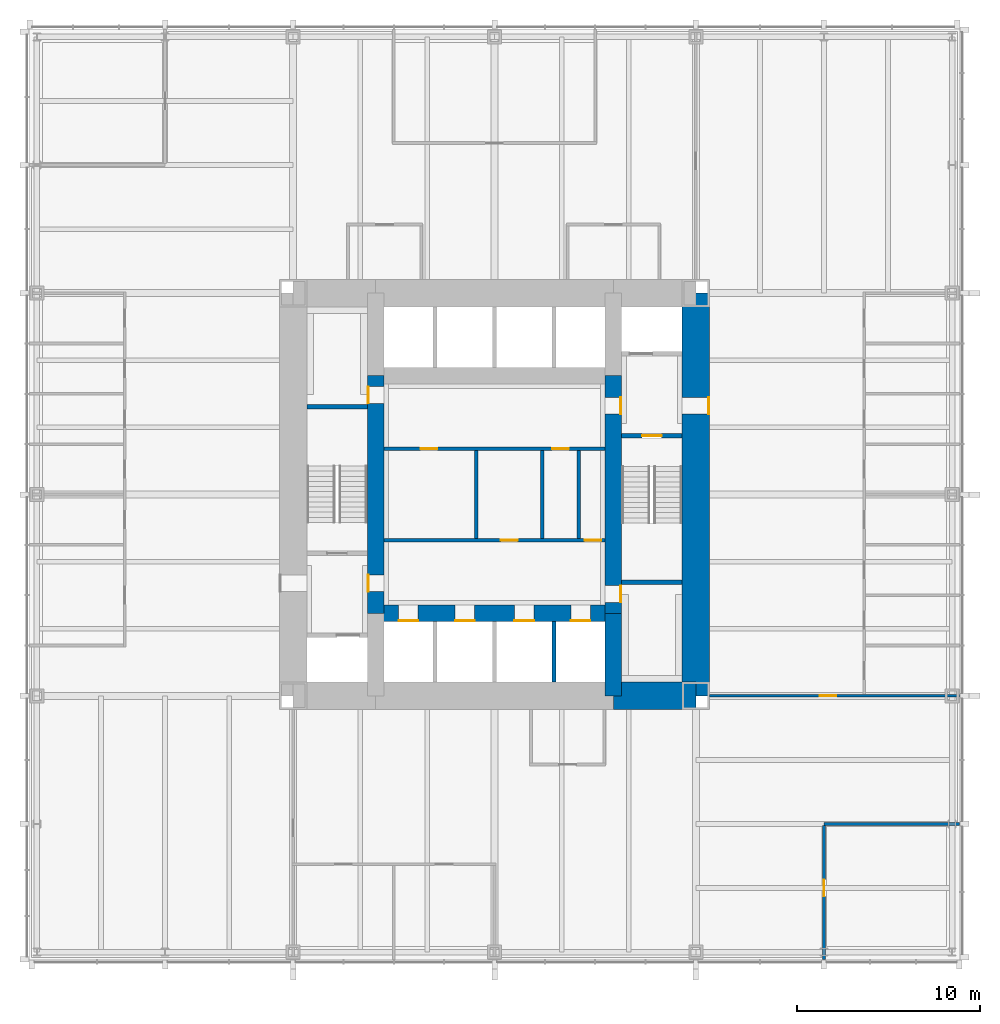
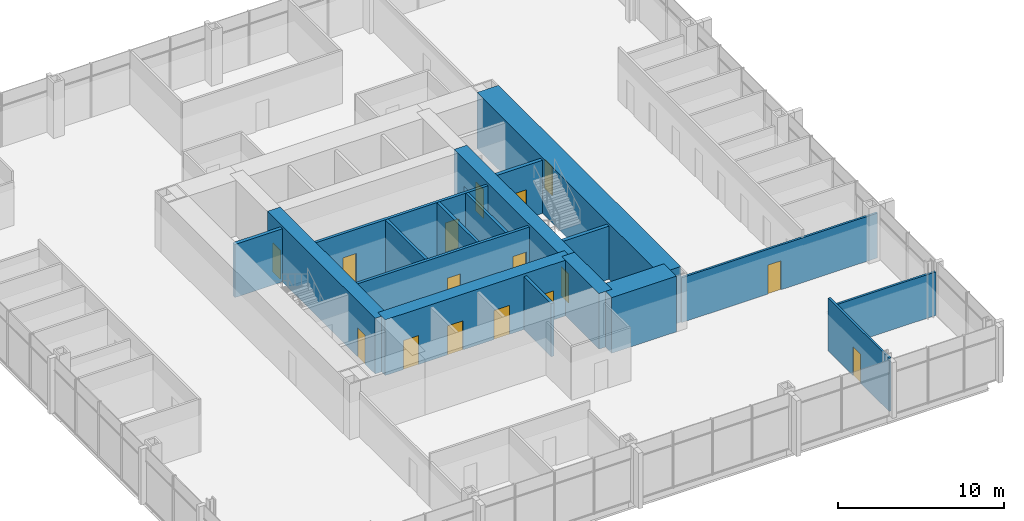
# One storey, part 10 of 13: 18 walls, 16 doors, 16 openings.
"""IFC4 building model written with IfcOpenShell, lengths in metres."""

from ifc_helpers import new_model, si_unit, direction, frame, frame_2d, origin, place, context, subcontext, project, spatial, rectangle, extrude, material, layer, layer_set, type_object, element, fill, save


model = new_model("IFC4")

# Units and contexts
model_context = context("Model", 3, precision=1e-05, world=origin(), true_north=direction((0.0, 1.0)))
body_context = subcontext(model_context, "Body", "Model", "MODEL_VIEW")
ifc_project = project(units=[si_unit("LENGTHUNIT", "METRE"), si_unit("AREAUNIT", "SQUARE_METRE"), si_unit("VOLUMEUNIT", "CUBIC_METRE"), si_unit("PLANEANGLEUNIT", "RADIAN"), si_unit("MASSUNIT", "GRAM", prefix="KILO")], contexts=[model_context])

# Site, building, storey
site_placement = place(None, origin())
site = spatial("IfcSite", under=ifc_project, at=site_placement, CompositionType="ELEMENT")
building_placement = place(site_placement, origin())
building = spatial("IfcBuilding", under=site, at=building_placement, Name="Trevanion Tower", CompositionType="ELEMENT")
storey_placement = place(building_placement, frame((0.0, 0.0, 85.699951171875)))
storey = spatial("IfcBuildingStorey", under=building, at=storey_placement, Name="L20", CompositionType="ELEMENT", Elevation=85.699951171875)

# Wall, opening, door
ifc_material_1 = material(Name="Concrete 10,000 psi", Category="concrete")
ifc_layer_1 = layer(ifc_material_1, 1.5)
ifc_layer_set_1 = layer_set([ifc_layer_1], Name="CW1 core wall 1500")
wall_type_1 = type_object("IfcWallType", Name="CW1 core wall 1500", PredefinedType="SHEAR", material=ifc_layer_set_1)
wall_1_placement = place(storey_placement, frame((11.0, -11.0, 0.0), z_axis=(0.0, 0.0, 1.0), x_axis=(0.0, 1.0, 0.0)))
wall_1 = element("IfcWall", 1, at=wall_1_placement, inside=storey, type_object=wall_type_1, Name="CW1 CE L20", PredefinedType="SHEAR", context=body_context, shape_type="SweptSolid", body=[
    extrude(rectangle(XDim=22.0, YDim=1.5, at=frame_2d((11.0, 0.0))), origin(), (0.0, 0.0, 1.0), 4.10009765625),
])
opening_1_placement = place(wall_1_placement, frame((15.392578125, 0.0, 0.0)))
opening_1 = element("IfcOpeningElement", 2, at=opening_1_placement, cuts=wall_1, Name="Opening 20-001", PredefinedType="OPENING", context=body_context, shape_type="SweptSolid", body=[
    extrude(rectangle(XDim=0.9150390625, YDim=2.134033203125, at=frame_2d((0.45751953125, 1.06689453125))), frame((0.0, 0.760009765625, 0.0), z_axis=(0.0, -1.0, 0.0), x_axis=(1.0, 0.0, 0.0)), (0.0, 0.0, 1.0), 1.52001953125),
])
ifc_material_2 = material(Name="Hollow metal, fire rated", Category="steel")
door_type_1 = type_object("IfcDoorType", Name="D3 fire lift lobby door", OperationType="SINGLE_SWING_RIGHT", PredefinedType="DOOR", material=ifc_material_2)
door_1_placement = place(opening_1_placement, origin())
door_1 = element("IfcDoor", 3, at=door_1_placement, inside=storey, type_object=door_type_1, Name="Door 20-001", OperationType="SINGLE_SWING_RIGHT", OverallHeight=2.134033203125, OverallWidth=0.9150390625, PredefinedType="DOOR", context=body_context, shape_type="SweptSolid", body=[
    extrude(rectangle(XDim=0.9150390625, YDim=2.134033203125, at=frame_2d((0.45751953125, 1.06689453125))), frame((0.0, -0.6748046875, 0.0), z_axis=(0.0, -1.0, 0.0), x_axis=(1.0, 0.0, 0.0)), (0.0, 0.0, 1.0), 0.050048828125),
])
fill(opening_1, door_1)

# Walls
wall_2_placement = place(storey_placement, frame((6.5, -11.0, 0.0), z_axis=(0.0, 0.0, 1.0), x_axis=(1.0, 0.0, 0.0)))
element("IfcWall", 4, at=wall_2_placement, inside=storey, type_object=wall_type_1, Name="CW1 CS3 L20", PredefinedType="SHEAR", context=body_context, shape_type="SweptSolid", body=[
    extrude(rectangle(XDim=4.5, YDim=1.5, at=frame_2d((2.25, 0.0))), origin(), (0.0, 0.0, 1.0), 4.10009765625),
])
ifc_material_3 = material(Name="Concrete 10,000 psi", Category="concrete")
ifc_layer_2 = layer(ifc_material_3, 0.89990234375)
ifc_layer_set_2 = layer_set([ifc_layer_2], Name="CW2 core wall 900")
wall_type_2 = type_object("IfcWallType", Name="CW2 core wall 900", PredefinedType="SHEAR", material=ifc_layer_set_2)
wall_3_placement = place(storey_placement, frame((6.5, -11.0, 0.0), z_axis=(0.0, 0.0, 1.0), x_axis=(0.0, 1.0, 0.0)))
element("IfcWall", 5, at=wall_3_placement, inside=storey, type_object=wall_type_2, Name="CW2 RE1 L20", PredefinedType="SHEAR", context=body_context, shape_type="SweptSolid", body=[
    extrude(rectangle(XDim=4.5, YDim=0.89990234375, at=frame_2d((2.25, 0.0))), origin(), (0.0, 0.0, 1.0), 4.10009765625),
])

# Wall, openings, doors
wall_4_placement = place(storey_placement, frame((6.5, -6.5, 0.0), z_axis=(0.0, 0.0, 1.0), x_axis=(0.0, 1.0, 0.0)))
wall_4 = element("IfcWall", 6, at=wall_4_placement, inside=storey, type_object=wall_type_2, Name="CW2 RE2 L20", PredefinedType="SHEAR", context=body_context, shape_type="SweptSolid", body=[
    extrude(rectangle(XDim=13.0, YDim=0.89990234375, at=frame_2d((6.5, 0.0))), origin(), (0.0, 0.0, 1.0), 4.10009765625),
])
opening_2_placement = place(wall_4_placement, frame((10.892578125, 0.0, 0.0)))
opening_2 = element("IfcOpeningElement", 7, at=opening_2_placement, cuts=wall_4, Name="Opening 20-003", PredefinedType="OPENING", context=body_context, shape_type="SweptSolid", body=[
    extrude(rectangle(XDim=0.9150390625, YDim=2.134033203125, at=frame_2d((0.45751953125, 1.06689453125))), frame((0.0, 0.4599609375, 0.0), z_axis=(0.0, -1.0, 0.0), x_axis=(1.0, 0.0, 0.0)), (0.0, 0.0, 1.0), 0.919921875),
])
opening_3_placement = place(wall_4_placement, frame((0.610107421875, 0.0, 0.0)))
opening_3 = element("IfcOpeningElement", 8, at=opening_3_placement, cuts=wall_4, Name="Opening 20-009", PredefinedType="OPENING", context=body_context, shape_type="SweptSolid", body=[
    extrude(rectangle(XDim=0.9150390625, YDim=2.134033203125, at=frame_2d((0.45751953125, 1.06689453125))), frame((0.0, 0.4599609375, 0.0), z_axis=(0.0, -1.0, 0.0), x_axis=(1.0, 0.0, 0.0)), (0.0, 0.0, 1.0), 0.919921875),
])
door_2_placement = place(opening_2_placement, origin())
door_2 = element("IfcDoor", 9, at=door_2_placement, inside=storey, type_object=door_type_1, Name="Door 20-003", OperationType="SINGLE_SWING_RIGHT", OverallHeight=2.134033203125, OverallWidth=0.9150390625, PredefinedType="DOOR", context=body_context, shape_type="SweptSolid", body=[
    extrude(rectangle(XDim=0.9150390625, YDim=2.134033203125, at=frame_2d((0.45751953125, 1.06689453125))), frame((0.0, -0.375, 0.0), z_axis=(0.0, -1.0, 0.0), x_axis=(1.0, 0.0, 0.0)), (0.0, 0.0, 1.0), 0.050048828125),
])
fill(opening_2, door_2)
ifc_material_4 = material(Name="Hollow metal, fire rated", Category="steel")
door_type_2 = type_object("IfcDoorType", Name="D5 service room door", OperationType="SINGLE_SWING_RIGHT", PredefinedType="DOOR", material=ifc_material_4)
door_3_placement = place(opening_3_placement, origin())
door_3 = element("IfcDoor", 10, at=door_3_placement, inside=storey, type_object=door_type_2, Name="Door 20-009", OperationType="SINGLE_SWING_RIGHT", OverallHeight=2.134033203125, OverallWidth=0.9150390625, PredefinedType="DOOR", context=body_context, shape_type="SweptSolid", body=[
    extrude(rectangle(XDim=0.9150390625, YDim=2.134033203125, at=frame_2d((0.45751953125, 1.06689453125))), frame((0.0, -0.375, 0.0), z_axis=(0.0, -1.0, 0.0), x_axis=(1.0, 0.0, 0.0)), (0.0, 0.0, 1.0), 0.050048828125),
])
fill(opening_3, door_3)

wall_5_placement = place(storey_placement, frame((-6.5, 6.5, 0.0), z_axis=(0.0, 0.0, 1.0), x_axis=(0.0, -1.0, 0.0)))
wall_5 = element("IfcWall", 11, at=wall_5_placement, inside=storey, type_object=wall_type_2, Name="CW2 RW2 L20", PredefinedType="SHEAR", context=body_context, shape_type="SweptSolid", body=[
    extrude(rectangle(XDim=13.0, YDim=0.89990234375, at=frame_2d((6.5, 0.0))), origin(), (0.0, 0.0, 1.0), 4.10009765625),
])
opening_4_placement = place(wall_5_placement, frame((10.892578125, 0.0, 0.0)))
opening_4 = element("IfcOpeningElement", 12, at=opening_4_placement, cuts=wall_5, Name="Opening 20-004", PredefinedType="OPENING", context=body_context, shape_type="SweptSolid", body=[
    extrude(rectangle(XDim=0.9150390625, YDim=2.134033203125, at=frame_2d((0.45751953125, 1.06689453125))), frame((0.0, 0.4599609375, 0.0), z_axis=(0.0, -1.0, 0.0), x_axis=(1.0, 0.0, 0.0)), (0.0, 0.0, 1.0), 0.919921875),
])
opening_5_placement = place(wall_5_placement, frame((0.610107421875, 0.0, 0.0)))
opening_5 = element("IfcOpeningElement", 13, at=opening_5_placement, cuts=wall_5, Name="Opening 20-010", PredefinedType="OPENING", context=body_context, shape_type="SweptSolid", body=[
    extrude(rectangle(XDim=0.9150390625, YDim=2.134033203125, at=frame_2d((0.45751953125, 1.06689453125))), frame((0.0, 0.4599609375, 0.0), z_axis=(0.0, -1.0, 0.0), x_axis=(1.0, 0.0, 0.0)), (0.0, 0.0, 1.0), 0.919921875),
])
door_4_placement = place(opening_4_placement, origin())
door_4 = element("IfcDoor", 14, at=door_4_placement, inside=storey, type_object=door_type_1, Name="Door 20-004", OperationType="SINGLE_SWING_RIGHT", OverallHeight=2.134033203125, OverallWidth=0.9150390625, PredefinedType="DOOR", context=body_context, shape_type="SweptSolid", body=[
    extrude(rectangle(XDim=0.9150390625, YDim=2.134033203125, at=frame_2d((0.45751953125, 1.06689453125))), frame((0.0, -0.375, 0.0), z_axis=(0.0, -1.0, 0.0), x_axis=(1.0, 0.0, 0.0)), (0.0, 0.0, 1.0), 0.050048828125),
])
fill(opening_4, door_4)
door_5_placement = place(opening_5_placement, origin())
door_5 = element("IfcDoor", 15, at=door_5_placement, inside=storey, type_object=door_type_2, Name="Door 20-010", OperationType="SINGLE_SWING_RIGHT", OverallHeight=2.134033203125, OverallWidth=0.9150390625, PredefinedType="DOOR", context=body_context, shape_type="SweptSolid", body=[
    extrude(rectangle(XDim=0.9150390625, YDim=2.134033203125, at=frame_2d((0.45751953125, 1.06689453125))), frame((0.0, -0.375, 0.0), z_axis=(0.0, -1.0, 0.0), x_axis=(1.0, 0.0, 0.0)), (0.0, 0.0, 1.0), 0.050048828125),
])
fill(opening_5, door_5)

wall_6_placement = place(storey_placement, frame((-6.5, -6.5, 0.0), z_axis=(0.0, 0.0, 1.0), x_axis=(1.0, 0.0, 0.0)))
wall_6 = element("IfcWall", 16, at=wall_6_placement, inside=storey, type_object=wall_type_2, Name="CW2 RS L20", PredefinedType="SHEAR", context=body_context, shape_type="SweptSolid", body=[
    extrude(rectangle(XDim=13.0, YDim=0.89990234375, at=frame_2d((6.5, 0.0))), origin(), (0.0, 0.0, 1.0), 4.10009765625),
])
opening_6_placement = place(wall_6_placement, frame((1.2666015625, 0.0, 0.0)))
opening_6 = element("IfcOpeningElement", 17, at=opening_6_placement, cuts=wall_6, Name="Opening 20-011", PredefinedType="OPENING", context=body_context, shape_type="SweptSolid", body=[
    extrude(rectangle(XDim=1.06689453125, YDim=2.134033203125, at=frame_2d((0.533447265625, 1.06689453125))), frame((0.0, 0.4599609375, 0.0), z_axis=(0.0, -1.0, 0.0), x_axis=(1.0, 0.0, 0.0)), (0.0, 0.0, 1.0), 0.919921875),
])
opening_7_placement = place(wall_6_placement, frame((4.341552734375, 0.0, 0.0)))
opening_7 = element("IfcOpeningElement", 18, at=opening_7_placement, cuts=wall_6, Name="Opening 20-012", PredefinedType="OPENING", context=body_context, shape_type="SweptSolid", body=[
    extrude(rectangle(XDim=1.06689453125, YDim=2.134033203125, at=frame_2d((0.533447265625, 1.06689453125))), frame((0.0, 0.4599609375, 0.0), z_axis=(0.0, -1.0, 0.0), x_axis=(1.0, 0.0, 0.0)), (0.0, 0.0, 1.0), 0.919921875),
])
opening_8_placement = place(wall_6_placement, frame((7.591552734375, 0.0, 0.0)))
opening_8 = element("IfcOpeningElement", 19, at=opening_8_placement, cuts=wall_6, Name="Opening 20-013", PredefinedType="OPENING", context=body_context, shape_type="SweptSolid", body=[
    extrude(rectangle(XDim=1.06689453125, YDim=2.134033203125, at=frame_2d((0.533447265625, 1.06689453125))), frame((0.0, 0.4599609375, 0.0), z_axis=(0.0, -1.0, 0.0), x_axis=(1.0, 0.0, 0.0)), (0.0, 0.0, 1.0), 0.919921875),
])
opening_9_placement = place(wall_6_placement, frame((10.66650390625, 0.0, 0.0)))
opening_9 = element("IfcOpeningElement", 20, at=opening_9_placement, cuts=wall_6, Name="Opening 20-014", PredefinedType="OPENING", context=body_context, shape_type="SweptSolid", body=[
    extrude(rectangle(XDim=1.06689453125, YDim=2.134033203125, at=frame_2d((0.533447265625, 1.06689453125))), frame((0.0, 0.4599609375, 0.0), z_axis=(0.0, -1.0, 0.0), x_axis=(1.0, 0.0, 0.0)), (0.0, 0.0, 1.0), 0.919921875),
])
ifc_material_5 = material(Name="Stainless steel, fire rated", Category="steel")
door_type_3 = type_object("IfcDoorType", Name="LD1 lift landing door", OperationType="SLIDING_TO_LEFT", PredefinedType="DOOR", material=ifc_material_5)
door_6_placement = place(opening_6_placement, origin())
door_6 = element("IfcDoor", 21, at=door_6_placement, inside=storey, type_object=door_type_3, Name="Door 20-011", OperationType="SLIDING_TO_LEFT", OverallHeight=2.134033203125, OverallWidth=1.06689453125, PredefinedType="DOOR", context=body_context, shape_type="SweptSolid", body=[
    extrude(rectangle(XDim=1.06689453125, YDim=2.134033203125, at=frame_2d((0.533447265625, 1.06689453125))), frame((0.0, -0.375, 0.0), z_axis=(0.0, -1.0, 0.0), x_axis=(1.0, 0.0, 0.0)), (0.0, 0.0, 1.0), 0.050048828125),
])
fill(opening_6, door_6)
door_7_placement = place(opening_7_placement, origin())
door_7 = element("IfcDoor", 22, at=door_7_placement, inside=storey, type_object=door_type_3, Name="Door 20-012", OperationType="SLIDING_TO_LEFT", OverallHeight=2.134033203125, OverallWidth=1.06689453125, PredefinedType="DOOR", context=body_context, shape_type="SweptSolid", body=[
    extrude(rectangle(XDim=1.06689453125, YDim=2.134033203125, at=frame_2d((0.533447265625, 1.06689453125))), frame((0.0, -0.375, 0.0), z_axis=(0.0, -1.0, 0.0), x_axis=(1.0, 0.0, 0.0)), (0.0, 0.0, 1.0), 0.050048828125),
])
fill(opening_7, door_7)
door_8_placement = place(opening_8_placement, origin())
door_8 = element("IfcDoor", 23, at=door_8_placement, inside=storey, type_object=door_type_3, Name="Door 20-013", OperationType="SLIDING_TO_LEFT", OverallHeight=2.134033203125, OverallWidth=1.06689453125, PredefinedType="DOOR", context=body_context, shape_type="SweptSolid", body=[
    extrude(rectangle(XDim=1.06689453125, YDim=2.134033203125, at=frame_2d((0.533447265625, 1.06689453125))), frame((0.0, -0.375, 0.0), z_axis=(0.0, -1.0, 0.0), x_axis=(1.0, 0.0, 0.0)), (0.0, 0.0, 1.0), 0.050048828125),
])
fill(opening_8, door_8)
door_9_placement = place(opening_9_placement, origin())
door_9 = element("IfcDoor", 24, at=door_9_placement, inside=storey, type_object=door_type_3, Name="Door 20-014", OperationType="SLIDING_TO_LEFT", OverallHeight=2.134033203125, OverallWidth=1.06689453125, PredefinedType="DOOR", context=body_context, shape_type="SweptSolid", body=[
    extrude(rectangle(XDim=1.06689453125, YDim=2.134033203125, at=frame_2d((0.533447265625, 1.06689453125))), frame((0.0, -0.375, 0.0), z_axis=(0.0, -1.0, 0.0), x_axis=(1.0, 0.0, 0.0)), (0.0, 0.0, 1.0), 0.050048828125),
])
fill(opening_9, door_9)

# Wall, opening, door
ifc_material_6 = material(Name="Gypsum board on steel studs", Category="steel")
ifc_layer_3 = layer(ifc_material_6, 0.14990234375)
ifc_layer_set_3 = layer_set([ifc_layer_3], Name="PT1 partition 150")
wall_type_3 = type_object("IfcWallType", Name="PT1 partition 150", PredefinedType="PARTITIONING", material=ifc_layer_set_3)
wall_7_placement = place(storey_placement, frame((11.75, -11.0, 0.0), z_axis=(0.0, 0.0, 1.0), x_axis=(1.0, 0.0, 0.0)))
wall_7 = element("IfcWall", 25, at=wall_7_placement, inside=storey, type_object=wall_type_3, Name="PT1 L20 ZW3", PredefinedType="PARTITIONING", context=body_context, shape_type="SweptSolid", body=[
    extrude(rectangle(XDim=13.6650390625, YDim=0.14990234375, at=frame_2d((6.83251953125, 0.0))), origin(), (0.0, 0.0, 1.0), 3.300537109375),
])
opening_10_placement = place(wall_7_placement, frame((6.017578125, 0.0, 0.0)))
opening_10 = element("IfcOpeningElement", 26, at=opening_10_placement, cuts=wall_7, Name="Opening 20-021", PredefinedType="OPENING", context=body_context, shape_type="SweptSolid", body=[
    extrude(rectangle(XDim=0.9150390625, YDim=2.134033203125, at=frame_2d((0.45751953125, 1.06689453125))), frame((0.0, 0.0849609375, 0.0), z_axis=(0.0, -1.0, 0.0), x_axis=(1.0, 0.0, 0.0)), (0.0, 0.0, 1.0), 0.169921875),
])
ifc_material_7 = material(Name="Timber veneer, solid core", Category="wood")
door_type_4 = type_object("IfcDoorType", Name="D1 office and meeting room door", OperationType="SINGLE_SWING_LEFT", PredefinedType="DOOR", material=ifc_material_7)
door_10_placement = place(opening_10_placement, origin())
door_10 = element("IfcDoor", 27, at=door_10_placement, inside=storey, type_object=door_type_4, Name="Door 20-021", OperationType="SINGLE_SWING_LEFT", OverallHeight=2.134033203125, OverallWidth=0.9150390625, PredefinedType="DOOR", context=body_context, shape_type="SweptSolid", body=[
    extrude(rectangle(XDim=0.9150390625, YDim=2.134033203125, at=frame_2d((0.45751953125, 1.06689453125))), frame((0.0, 0.02490234375, 0.0), z_axis=(0.0, -1.0, 0.0), x_axis=(1.0, 0.0, 0.0)), (0.0, 0.0, 1.0), 0.050048828125),
])
fill(opening_10, door_10)

# Wall
wall_8_placement = place(storey_placement, frame((18.0, -18.0, 0.0), z_axis=(0.0, 0.0, 1.0), x_axis=(1.0, 0.0, 0.0)))
element("IfcWall", 28, at=wall_8_placement, inside=storey, type_object=wall_type_3, Name="PT1 L20 KW3a", PredefinedType="PARTITIONING", context=body_context, shape_type="SweptSolid", body=[
    extrude(rectangle(XDim=7.4150390625, YDim=0.14990234375, at=frame_2d((3.70751953125, 0.0))), origin(), (0.0, 0.0, 1.0), 3.214111328125),
])

# Wall, opening, door
wall_9_placement = place(storey_placement, frame((18.0, -18.074951171875, 0.0), z_axis=(0.0, 0.0, 1.0), x_axis=(0.0, -1.0, 0.0)))
wall_9 = element("IfcWall", 29, at=wall_9_placement, inside=storey, type_object=wall_type_3, Name="PT1 L20 KW3b", PredefinedType="PARTITIONING", context=body_context, shape_type="SweptSolid", body=[
    extrude(rectangle(XDim=7.340087890625, YDim=0.14990234375, at=frame_2d((3.669921875, 0.0))), origin(), (0.0, 0.0, 1.0), 3.91015625),
])
opening_11_placement = place(wall_9_placement, frame((2.967529296875, 0.0, 0.0)))
opening_11 = element("IfcOpeningElement", 30, at=opening_11_placement, cuts=wall_9, Name="Opening 20-023", PredefinedType="OPENING", context=body_context, shape_type="SweptSolid", body=[
    extrude(rectangle(XDim=0.9150390625, YDim=2.134033203125, at=frame_2d((0.45751953125, 1.06689453125))), frame((0.0, 0.0849609375, 0.0), z_axis=(0.0, -1.0, 0.0), x_axis=(1.0, 0.0, 0.0)), (0.0, 0.0, 1.0), 0.169921875),
])
door_11_placement = place(opening_11_placement, origin())
door_11 = element("IfcDoor", 31, at=door_11_placement, inside=storey, type_object=door_type_4, Name="Door 20-023", OperationType="SINGLE_SWING_LEFT", OverallHeight=2.134033203125, OverallWidth=0.9150390625, PredefinedType="DOOR", context=body_context, shape_type="SweptSolid", body=[
    extrude(rectangle(XDim=0.9150390625, YDim=2.134033203125, at=frame_2d((0.45751953125, 1.06689453125))), frame((0.0, 0.02490234375, 0.0), z_axis=(0.0, -1.0, 0.0), x_axis=(1.0, 0.0, 0.0)), (0.0, 0.0, 1.0), 0.050048828125),
])
fill(opening_11, door_11)

# Walls
ifc_material_8 = material(Name="Concrete masonry, grouted", Category="masonry")
ifc_layer_4 = layer(ifc_material_8, 0.199951171875)
ifc_layer_set_4 = layer_set([ifc_layer_4], Name="PT2 partition 200")
wall_type_4 = type_object("IfcWallType", Name="PT2 partition 200", PredefinedType="PARTITIONING", material=ifc_layer_set_4)
for number, where, z_axis, x_axis, name in (
    (32, (-1.0, -2.39990234375, 0.0), (0.0, 0.0, 1.0), (0.0, 1.0, 0.0), "PT2 L20 TP1"),
    (33, (2.60009765625, -2.39990234375, 0.0), (0.0, 0.0, 1.0), (0.0, 1.0, 0.0), "PT2 L20 TP2"),
    (34, (4.60009765625, -2.39990234375, 0.0), (0.0, 0.0, 1.0), (0.0, 1.0, 0.0), "PT2 L20 TP3"),
):
    element("IfcWall", number, at=place(storey_placement, frame(where, z_axis=z_axis, x_axis=x_axis)), inside=storey, type_object=wall_type_4, Name=name, PredefinedType="PARTITIONING", context=body_context, shape_type="SweptSolid", body=[
        extrude(rectangle(XDim=4.7998046875, YDim=0.199951171875, at=frame_2d((2.39990234375, 0.0))), origin(), (0.0, 0.0, 1.0), 3.91015625),
    ])

# Wall, openings, doors
ifc_material_9 = material(Name="Concrete masonry, grouted", Category="masonry")
ifc_layer_5 = layer(ifc_material_9, 0.199951171875)
ifc_layer_set_5 = layer_set([ifc_layer_5], Name="PT2 partition 200 1 HR")
wall_type_5 = type_object("IfcWallType", Name="PT2 partition 200 1 HR", PredefinedType="PARTITIONING", material=ifc_layer_set_5)
wall_10_placement = place(storey_placement, frame((-6.050048828125, 2.5, 0.0), z_axis=(0.0, 0.0, 1.0), x_axis=(1.0, 0.0, 0.0)))
wall_10 = element("IfcWall", 35, at=wall_10_placement, inside=storey, type_object=wall_type_5, Name="PT2 L20 CP1", PredefinedType="PARTITIONING", context=body_context, shape_type="SweptSolid", body=[
    extrude(rectangle(XDim=12.10009765625, YDim=0.199951171875, at=frame_2d((6.050048828125, 0.0))), origin(), (0.0, 0.0, 1.0), 3.91015625),
])
opening_12_placement = place(wall_10_placement, frame((2.017578125, 0.0, 0.0)))
opening_12 = element("IfcOpeningElement", 36, at=opening_12_placement, cuts=wall_10, Name="Opening 20-015", PredefinedType="OPENING", context=body_context, shape_type="SweptSolid", body=[
    extrude(rectangle(XDim=0.9150390625, YDim=2.134033203125, at=frame_2d((0.45751953125, 1.06689453125))), frame((0.0, 0.10986328125, 0.0), z_axis=(0.0, -1.0, 0.0), x_axis=(1.0, 0.0, 0.0)), (0.0, 0.0, 1.0), 0.219970703125),
])
opening_13_placement = place(wall_10_placement, frame((9.1923828125, 0.0, 0.0)))
opening_13 = element("IfcOpeningElement", 37, at=opening_13_placement, cuts=wall_10, Name="Opening 20-017", PredefinedType="OPENING", context=body_context, shape_type="SweptSolid", body=[
    extrude(rectangle(XDim=0.9150390625, YDim=2.134033203125, at=frame_2d((0.45751953125, 1.06689453125))), frame((0.0, 0.10986328125, 0.0), z_axis=(0.0, -1.0, 0.0), x_axis=(1.0, 0.0, 0.0)), (0.0, 0.0, 1.0), 0.219970703125),
])
ifc_material_10 = material(Name="Plastic laminate on fire-rated core", Category="wood")
door_type_5 = type_object("IfcDoorType", Name="D12 toilet door in a one hour wall", OperationType="SINGLE_SWING_LEFT", PredefinedType="DOOR", material=ifc_material_10)
door_12_placement = place(opening_12_placement, origin())
door_12 = element("IfcDoor", 38, at=door_12_placement, inside=storey, type_object=door_type_5, Name="Door 20-015", OperationType="SINGLE_SWING_LEFT", OverallHeight=2.134033203125, OverallWidth=0.9150390625, PredefinedType="DOOR", context=body_context, shape_type="SweptSolid", body=[
    extrude(rectangle(XDim=0.9150390625, YDim=2.134033203125, at=frame_2d((0.45751953125, 1.06689453125))), frame((0.0, 0.02490234375, 0.0), z_axis=(0.0, -1.0, 0.0), x_axis=(1.0, 0.0, 0.0)), (0.0, 0.0, 1.0), 0.050048828125),
])
fill(opening_12, door_12)
door_13_placement = place(opening_13_placement, origin())
door_13 = element("IfcDoor", 39, at=door_13_placement, inside=storey, type_object=door_type_5, Name="Door 20-017", OperationType="SINGLE_SWING_LEFT", OverallHeight=2.134033203125, OverallWidth=0.9150390625, PredefinedType="DOOR", context=body_context, shape_type="SweptSolid", body=[
    extrude(rectangle(XDim=0.9150390625, YDim=2.134033203125, at=frame_2d((0.45751953125, 1.06689453125))), frame((0.0, 0.02490234375, 0.0), z_axis=(0.0, -1.0, 0.0), x_axis=(1.0, 0.0, 0.0)), (0.0, 0.0, 1.0), 0.050048828125),
])
fill(opening_13, door_13)

wall_11_placement = place(storey_placement, frame((6.050048828125, -2.5, 0.0), z_axis=(0.0, 0.0, 1.0), x_axis=(-1.0, 0.0, 0.0)))
wall_11 = element("IfcWall", 40, at=wall_11_placement, inside=storey, type_object=wall_type_5, Name="PT2 L20 CP2", PredefinedType="PARTITIONING", context=body_context, shape_type="SweptSolid", body=[
    extrude(rectangle(XDim=12.10009765625, YDim=0.199951171875, at=frame_2d((6.050048828125, 0.0))), origin(), (0.0, 0.0, 1.0), 3.91015625),
])
opening_14_placement = place(wall_11_placement, frame((4.79248046875, 0.0, 0.0)))
opening_14 = element("IfcOpeningElement", 41, at=opening_14_placement, cuts=wall_11, Name="Opening 20-016", PredefinedType="OPENING", context=body_context, shape_type="SweptSolid", body=[
    extrude(rectangle(XDim=0.9150390625, YDim=2.134033203125, at=frame_2d((0.45751953125, 1.06689453125))), frame((0.0, 0.10986328125, 0.0), z_axis=(0.0, -1.0, 0.0), x_axis=(1.0, 0.0, 0.0)), (0.0, 0.0, 1.0), 0.219970703125),
])
opening_15_placement = place(wall_11_placement, frame((0.217529296875, 0.0, 0.0)))
opening_15 = element("IfcOpeningElement", 42, at=opening_15_placement, cuts=wall_11, Name="Opening 20-018", PredefinedType="OPENING", context=body_context, shape_type="SweptSolid", body=[
    extrude(rectangle(XDim=0.9150390625, YDim=2.134033203125, at=frame_2d((0.45751953125, 1.06689453125))), frame((0.0, 0.10986328125, 0.0), z_axis=(0.0, -1.0, 0.0), x_axis=(1.0, 0.0, 0.0)), (0.0, 0.0, 1.0), 0.219970703125),
])
door_14_placement = place(opening_14_placement, origin())
door_14 = element("IfcDoor", 43, at=door_14_placement, inside=storey, type_object=door_type_5, Name="Door 20-016", OperationType="SINGLE_SWING_LEFT", OverallHeight=2.134033203125, OverallWidth=0.9150390625, PredefinedType="DOOR", context=body_context, shape_type="SweptSolid", body=[
    extrude(rectangle(XDim=0.9150390625, YDim=2.134033203125, at=frame_2d((0.45751953125, 1.06689453125))), frame((0.0, 0.02490234375, 0.0), z_axis=(0.0, -1.0, 0.0), x_axis=(1.0, 0.0, 0.0)), (0.0, 0.0, 1.0), 0.050048828125),
])
fill(opening_14, door_14)
door_15_placement = place(opening_15_placement, origin())
door_15 = element("IfcDoor", 44, at=door_15_placement, inside=storey, type_object=door_type_5, Name="Door 20-018", OperationType="SINGLE_SWING_LEFT", OverallHeight=2.134033203125, OverallWidth=0.9150390625, PredefinedType="DOOR", context=body_context, shape_type="SweptSolid", body=[
    extrude(rectangle(XDim=0.9150390625, YDim=2.134033203125, at=frame_2d((0.45751953125, 1.06689453125))), frame((0.0, 0.02490234375, 0.0), z_axis=(0.0, -1.0, 0.0), x_axis=(1.0, 0.0, 0.0)), (0.0, 0.0, 1.0), 0.050048828125),
])
fill(opening_15, door_15)

# Walls
ifc_material_11 = material(Name="Concrete masonry, grouted", Category="masonry")
ifc_layer_6 = layer(ifc_material_11, 0.199951171875)
ifc_layer_set_6 = layer_set([ifc_layer_6], Name="PT2 partition 200 2 HR")
wall_type_6 = type_object("IfcWallType", Name="PT2 partition 200 2 HR", PredefinedType="PARTITIONING", material=ifc_layer_set_6)
wall_12_placement = place(storey_placement, frame((3.25, -10.25, 0.0), z_axis=(0.0, 0.0, 1.0), x_axis=(0.0, 1.0, 0.0)))
element("IfcWall", 45, at=wall_12_placement, inside=storey, type_object=wall_type_6, Name="PT2 L20 SS2", PredefinedType="PARTITIONING", context=body_context, shape_type="SweptSolid", body=[
    extrude(rectangle(XDim=3.300048828125, YDim=0.199951171875, at=frame_2d((1.64990234375, 0.0))), origin(), (0.0, 0.0, 1.0), 3.91015625),
])
ifc_material_12 = material(Name="Reinforced masonry, fully grouted", Category="masonry")
ifc_layer_7 = layer(ifc_material_12, 0.25)
ifc_layer_set_7 = layer_set([ifc_layer_7], Name="SW1 stair shaft wall 250")
wall_type_7 = type_object("IfcWallType", Name="SW1 stair shaft wall 250", PredefinedType="SOLIDWALL", material=ifc_layer_set_7)
for number, where, z_axis, x_axis, name in (
    (46, (6.949951171875, -4.800048828125, 0.0), (0.0, 0.0, 1.0), (1.0, 0.0, 0.0), "SW1 L20 EP1"),
    (47, (-6.949951171875, 4.800048828125, 0.0), (0.0, 0.0, 1.0), (-1.0, 0.0, 0.0), "SW1 L20 WP1"),
):
    element("IfcWall", number, at=place(storey_placement, frame(where, z_axis=z_axis, x_axis=x_axis)), inside=storey, type_object=wall_type_7, Name=name, PredefinedType="SOLIDWALL", context=body_context, shape_type="SweptSolid", body=[
        extrude(rectangle(XDim=3.300048828125, YDim=0.25, at=frame_2d((1.64990234375, 0.0))), origin(), (0.0, 0.0, 1.0), 3.91015625),
    ])

# Wall, opening, door
wall_13_placement = place(storey_placement, frame((6.949951171875, 3.199951171875, 0.0), z_axis=(0.0, 0.0, 1.0), x_axis=(1.0, 0.0, 0.0)))
wall_13 = element("IfcWall", 48, at=wall_13_placement, inside=storey, type_object=wall_type_7, Name="SW1 L20 EP2", PredefinedType="SOLIDWALL", context=body_context, shape_type="SweptSolid", body=[
    extrude(rectangle(XDim=3.300048828125, YDim=0.25, at=frame_2d((1.64990234375, 0.0))), origin(), (0.0, 0.0, 1.0), 3.91015625),
])
opening_16_placement = place(wall_13_placement, frame((1.116455078125, 0.0, 0.0)))
opening_16 = element("IfcOpeningElement", 49, at=opening_16_placement, cuts=wall_13, Name="Opening 20-005", PredefinedType="OPENING", context=body_context, shape_type="SweptSolid", body=[
    extrude(rectangle(XDim=1.06689453125, YDim=2.134033203125, at=frame_2d((0.533447265625, 1.06689453125))), frame((0.0, 0.135009765625, 0.0), z_axis=(0.0, -1.0, 0.0), x_axis=(1.0, 0.0, 0.0)), (0.0, 0.0, 1.0), 0.27001953125),
])
ifc_material_13 = material(Name="Hollow metal, fire rated", Category="steel")
door_type_6 = type_object("IfcDoorType", Name="D2 exit stair door", OperationType="SINGLE_SWING_LEFT", PredefinedType="DOOR", material=ifc_material_13)
door_16_placement = place(opening_16_placement, origin())
door_16 = element("IfcDoor", 50, at=door_16_placement, inside=storey, type_object=door_type_6, Name="Door 20-005", OperationType="SINGLE_SWING_LEFT", OverallHeight=2.134033203125, OverallWidth=1.06689453125, PredefinedType="DOOR", context=body_context, shape_type="SweptSolid", body=[
    extrude(rectangle(XDim=1.06689453125, YDim=2.134033203125, at=frame_2d((0.533447265625, 1.06689453125))), frame((0.0, 0.02490234375, 0.0), z_axis=(0.0, -1.0, 0.0), x_axis=(1.0, 0.0, 0.0)), (0.0, 0.0, 1.0), 0.050048828125),
])
fill(opening_16, door_16)

save(model, "model.ifc")
